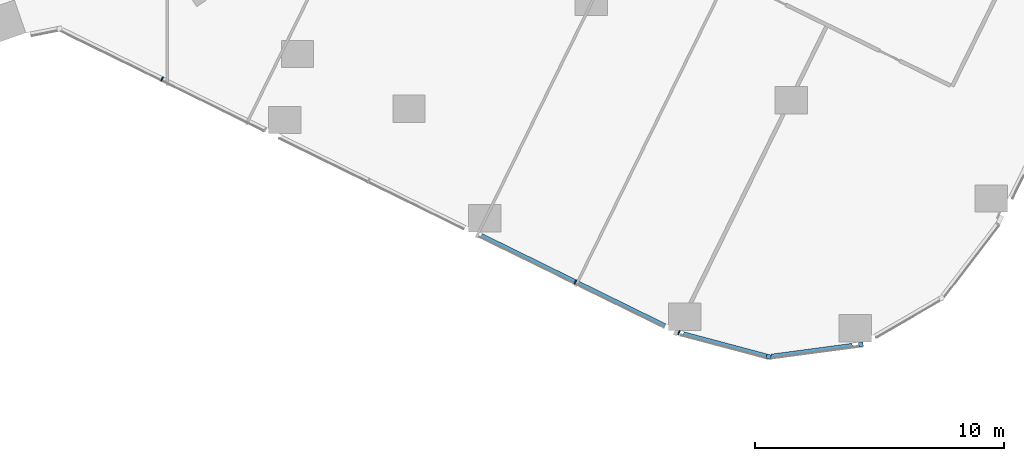
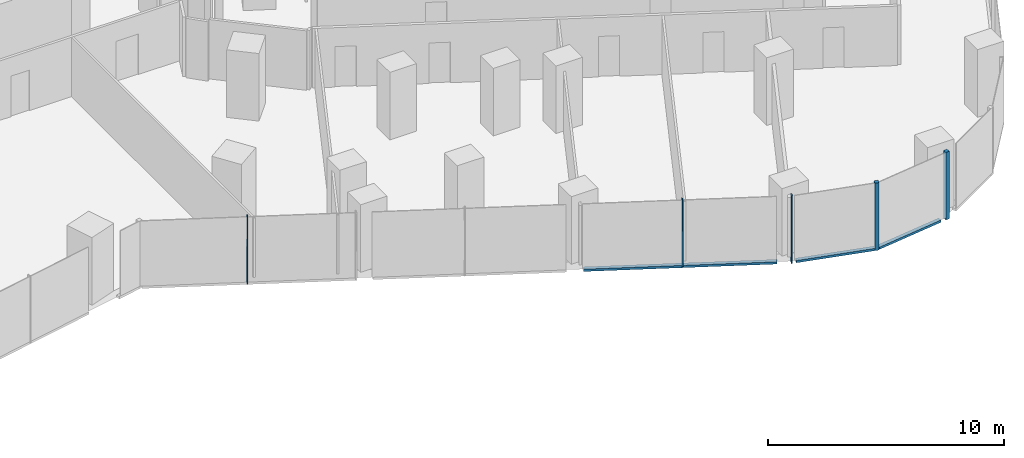
# One storey, part 8 of 38: 8 members, 3 elements without a shape of their own.
"""IFC4 building model written with IfcOpenShell, lengths in metres."""

from ifc_helpers import new_model, si_unit, direction, frame, origin, origin_2d, place, context, subcontext, project, spatial, rectangle, extrude, material, material_profile, profile_set, type_object, element, aggregate, save


model = new_model("IFC4")

# Units and contexts
model_context = context("Model", 3, precision=1e-05, world=origin(), true_north=direction((0.0, 1.0)))
body_context = subcontext(model_context, "Body", "Model", "MODEL_VIEW")
ifc_project = project(units=[si_unit("LENGTHUNIT", "METRE"), si_unit("AREAUNIT", "SQUARE_METRE"), si_unit("VOLUMEUNIT", "CUBIC_METRE"), si_unit("PLANEANGLEUNIT", "RADIAN"), si_unit("MASSUNIT", "GRAM", prefix="KILO")], contexts=[model_context])

# Site, building, storey
site_placement = place(None, origin())
site = spatial("IfcSite", under=ifc_project, at=site_placement, CompositionType="ELEMENT")
building_placement = place(site_placement, origin())
building = spatial("IfcBuilding", under=site, at=building_placement, Name="Orlundy Tower", CompositionType="ELEMENT")
storey_placement = place(building_placement, frame((0.0, 0.0, 65.800048828125)))
storey = spatial("IfcBuildingStorey", under=building, at=storey_placement, Name="L15", CompositionType="ELEMENT", Elevation=65.800048828125)

# Curtain wall, member
ifc_material_1 = material(Name="Aluminium bronze anodised", Category="aluminium")
curtain_wall_type = type_object("IfcCurtainWallType", Name="CW1 wall", PredefinedType="NOTDEFINED", material=ifc_material_1)
curtain_wall_1_placement = place(storey_placement, origin())
curtain_wall_1 = element("IfcCurtainWall", 1, at=curtain_wall_1_placement, inside=storey, type_object=curtain_wall_type, Name="CW1 run 026", PredefinedType="NOTDEFINED")
ifc_material_2 = material(Name="Aluminium bronze anodised", Category="aluminium")
ifc_material_profile_1 = material_profile(ifc_material_2, rectangle(XDim=0.179931640625, YDim=0.179931640625, at=origin_2d()), Name="CW1 corner post 180x180")
ifc_profile_set_1 = profile_set([ifc_material_profile_1], Name="Aluminium bronze anodised")
member_type_1 = type_object("IfcMemberType", Name="CW1 corner post 180x180", PredefinedType="MULLION", material=ifc_profile_set_1)
member_1_placement = place(storey_placement, frame((44.23974609375, -40.991943359375, -0.400146484375), z_axis=(0.0, 0.0, 1.0), x_axis=(0.132163720098, -0.991227900682, 0.0)))
member_1 = element("IfcMember", 2, at=member_1_placement, type_object=member_type_1, Name="CW1 mullion 67", PredefinedType="MULLION", context=body_context, shape_type="SweptSolid", body=[
    extrude(rectangle(XDim=0.179931640625, YDim=0.179931640625, at=origin_2d()), origin(), (0.0, 0.0, 1.0), 3.5),
])

curtain_wall_2_placement = place(storey_placement, origin())
curtain_wall_2 = element("IfcCurtainWall", 3, at=curtain_wall_2_placement, inside=storey, type_object=curtain_wall_type, Name="CW1 run 027", PredefinedType="NOTDEFINED")
member_2_placement = place(storey_placement, frame((40.529052734375, -41.486572265625, -0.400146484375), z_axis=(0.0, 0.0, 1.0), x_axis=(-0.25767944438, -0.966230461093, 0.0)))
member_2 = element("IfcMember", 4, at=member_2_placement, type_object=member_type_1, Name="CW1 mullion 68", PredefinedType="MULLION", context=body_context, shape_type="SweptSolid", body=[
    extrude(rectangle(XDim=0.179931640625, YDim=0.179931640625, at=origin_2d()), origin(), (0.0, 0.0, 1.0), 3.5),
])

# Curtain wall, members
curtain_wall_3_placement = place(storey_placement, origin())
curtain_wall_3 = element("IfcCurtainWall", 5, at=curtain_wall_3_placement, inside=storey, type_object=curtain_wall_type, Name="CW1 run 00", PredefinedType="NOTDEFINED")
ifc_material_3 = material(Name="Aluminium bronze anodised", Category="aluminium")
ifc_material_profile_2 = material_profile(ifc_material_3, rectangle(XDim=0.179931640625, YDim=0.050048828125, at=origin_2d()), Name="CW1 mullion 50x180")
ifc_profile_set_2 = profile_set([ifc_material_profile_2], Name="Aluminium bronze anodised")
member_type_2 = type_object("IfcMemberType", Name="CW1 mullion 50x180", PredefinedType="MULLION", material=ifc_profile_set_2)
member_3_placement = place(storey_placement, frame((36.92236328125, -40.524658203125, -0.400146484375), z_axis=(0.0, 0.0, 1.0), x_axis=(-0.351009416126, -0.936371929198, 0.0)))
member_3 = element("IfcMember", 6, at=member_3_placement, type_object=member_type_2, Name="CW1 mullion 1", PredefinedType="MULLION", context=body_context, shape_type="SweptSolid", body=[
    extrude(rectangle(XDim=0.179931640625, YDim=0.050048828125, at=origin_2d()), origin(), (0.0, 0.0, 1.0), 3.5),
])
member_4_placement = place(storey_placement, frame((32.758056640625, -38.478759765625, -0.400146484375), z_axis=(0.0, 0.0, 1.0), x_axis=(-0.440968989984, -0.897522339484, 0.0)))
member_4 = element("IfcMember", 7, at=member_4_placement, type_object=member_type_2, Name="CW1 mullion 2", PredefinedType="MULLION", context=body_context, shape_type="SweptSolid", body=[
    extrude(rectangle(XDim=0.179931640625, YDim=0.050048828125, at=origin_2d()), origin(), (0.0, 0.0, 1.0), 3.5),
])
member_5_placement = place(storey_placement, frame((16.133544921875, -30.310791015625, -0.400146484375), z_axis=(0.0, 0.0, 1.0), x_axis=(-0.440968989984, -0.897522339484, 0.0)))
member_5 = element("IfcMember", 8, at=member_5_placement, type_object=member_type_2, Name="CW1 mullion 6", PredefinedType="MULLION", context=body_context, shape_type="SweptSolid", body=[
    extrude(rectangle(XDim=0.179931640625, YDim=0.050048828125, at=origin_2d()), origin(), (0.0, 0.0, 1.0), 3.5),
])
ifc_material_4 = material(Name="Aluminium bronze anodised", Category="aluminium")
ifc_material_profile_3 = material_profile(ifc_material_4, rectangle(XDim=0.179931640625, YDim=0.1201171875, at=origin_2d()), Name="CW1 transom 180x120")
ifc_profile_set_3 = profile_set([ifc_material_profile_3], Name="Aluminium bronze anodised")
member_type_3 = type_object("IfcMemberType", Name="CW1 transom 180x120", PredefinedType="USERDEFINED", material=ifc_profile_set_3)
member_6_placement = place(storey_placement, frame((36.35791015625, -40.24755859375, -0.340087890625), z_axis=(-0.897508396763, 0.440997367045, 0.0), x_axis=(-0.440997367045, -0.897508396763, 0.0)))
member_6 = element("IfcMember", 9, at=member_6_placement, type_object=member_type_3, Name="CW1 transom", ObjectType="TRANSOM", PredefinedType="USERDEFINED", context=body_context, shape_type="SweptSolid", body=[
    extrude(rectangle(XDim=0.179931640625, YDim=0.1201171875, at=origin_2d()), origin(), (0.0, 0.0, 1.0), 8.23046875),
])
aggregate(curtain_wall_3, [member_3, member_4, member_5, member_6])

# Member
member_7_placement = place(storey_placement, frame((43.8935546875, -41.0380859375, -0.340087890625), z_axis=(-0.991234367235, -0.13211521189, 0.0), x_axis=(0.13211521189, -0.991234367235, 0.0)))
member_7 = element("IfcMember", 10, at=member_7_placement, type_object=member_type_3, Name="CW1 transom", ObjectType="TRANSOM", PredefinedType="USERDEFINED", context=body_context, shape_type="SweptSolid", body=[
    extrude(rectangle(XDim=0.179931640625, YDim=0.1201171875, at=origin_2d()), origin(), (0.0, 0.0, 1.0), 3.296630859375),
])

aggregate(curtain_wall_1, [member_1, member_7])

member_8_placement = place(storey_placement, frame((40.442138671875, -41.46337890625, -0.340087890625), z_axis=(-0.966229075732, 0.257684639064, 0.0), x_axis=(-0.257684639064, -0.966229075732, 0.0)))
member_8 = element("IfcMember", 11, at=member_8_placement, type_object=member_type_3, Name="CW1 transom", ObjectType="TRANSOM", PredefinedType="USERDEFINED", context=body_context, shape_type="SweptSolid", body=[
    extrude(rectangle(XDim=0.179931640625, YDim=0.1201171875, at=origin_2d()), origin(), (0.0, 0.0, 1.0), 3.455322265625),
])

aggregate(curtain_wall_2, [member_2, member_8])

save(model, "model.ifc")
